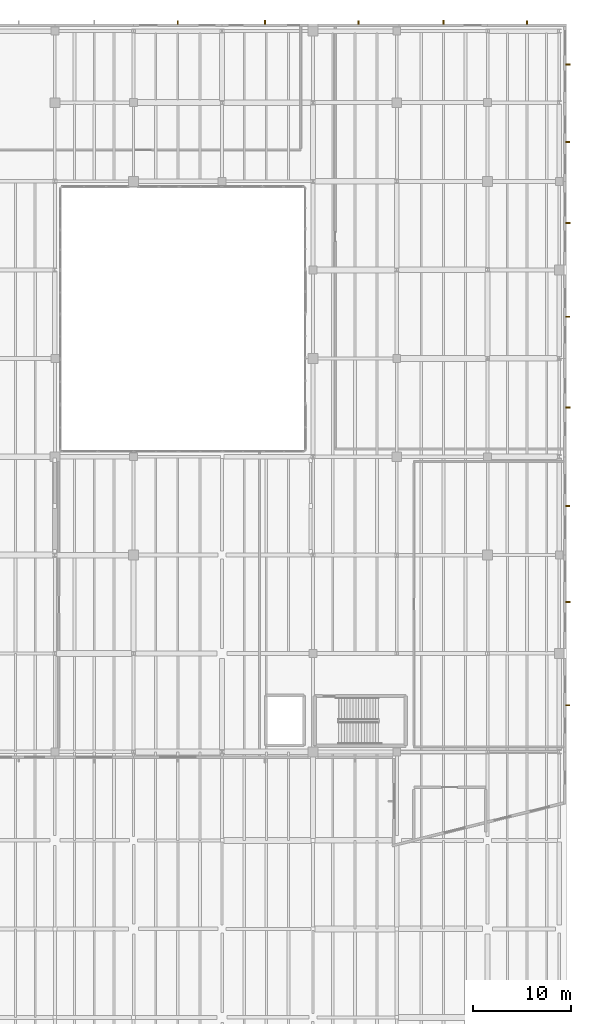
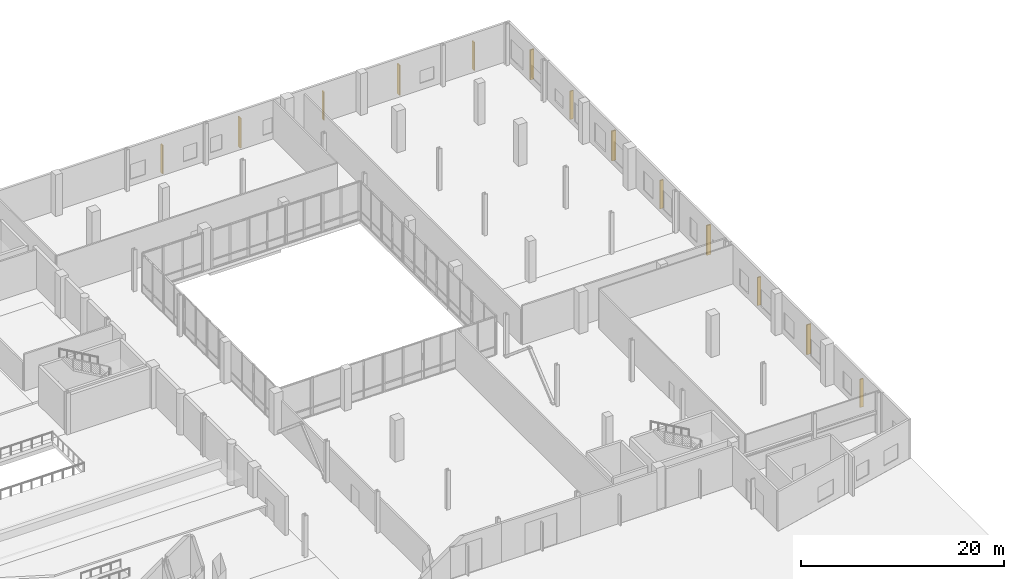
# One storey, part 88 of 88: 13 shading devices.
"""IFC4 building model written with IfcOpenShell, lengths in metres."""

from ifc_helpers import new_model, si_unit, direction, frame, origin, origin_2d, place, context, subcontext, project, spatial, rectangle, extrude, material, type_object, element, save


model = new_model("IFC4")

# Units and contexts
model_context = context("Model", 3, precision=1e-05, world=origin(), true_north=direction((0.0, 1.0)))
body_context = subcontext(model_context, "Body", "Model", "MODEL_VIEW")
ifc_project = project(units=[si_unit("LENGTHUNIT", "METRE"), si_unit("AREAUNIT", "SQUARE_METRE"), si_unit("VOLUMEUNIT", "CUBIC_METRE"), si_unit("PLANEANGLEUNIT", "RADIAN"), si_unit("MASSUNIT", "GRAM", prefix="KILO")], contexts=[model_context])

# Site, building, storey
site_placement = place(None, origin())
site = spatial("IfcSite", under=ifc_project, at=site_placement, CompositionType="ELEMENT")
building_placement = place(site_placement, origin())
building = spatial("IfcBuilding", under=site, at=building_placement, Name="Trimount Lyric Opera House", CompositionType="ELEMENT")
storey_placement = place(building_placement, origin())
storey = spatial("IfcBuildingStorey", under=building, at=storey_placement, Name="L00", CompositionType="ELEMENT", Elevation=0.0)

# Shading devices
ifc_material_1 = material(Name="Extruded Bronze Vertical Acoustic Fin")
shading_device_type_1 = type_object("IfcShadingDeviceType", Name="SHD-FIN1", PredefinedType="USERDEFINED", material=ifc_material_1)
for number, where, z_axis, x_axis, name in (
    (1, (143.3701171875, 118.179931640625, 0.0), (0.0, 0.0, 1.0), (1.0, 0.0, 0.0), "Vertical architectural facade fin 021"),
    (2, (161.5, 118.179931640625, 0.0), (0.0, 0.0, 1.0), (1.0, 0.0, 0.0), "Vertical architectural facade fin 023"),
):
    element("IfcShadingDevice", number, at=place(storey_placement, frame(where, z_axis=z_axis, x_axis=x_axis)), inside=storey, type_object=shading_device_type_1, Name=name, ObjectType="FIN", PredefinedType="USERDEFINED", context=body_context, shape_type="SweptSolid", body=[
        extrude(rectangle(XDim=0.139892578125, YDim=0.449951171875, at=origin_2d()), origin(), (0.0, 0.0, 1.0), 3.60009765625),
    ])
for number, where, z_axis, x_axis, name in (
    (3, (174.179931640625, 113.864990234375, 0.0), (0.0, 0.0, 1.0), (1.0, 0.0, 0.0), "Vertical architectural facade fin 025"),
    (4, (174.179931640625, 97.75, 0.0), (0.0, 0.0, 1.0), (1.0, 0.0, 0.0), "Vertical architectural facade fin 027"),
    (5, (174.179931640625, 79.0, 0.0), (0.0, 0.0, 1.0), (1.0, 0.0, 0.0), "Vertical architectural facade fin 029"),
    (6, (174.179931640625, 59.25, 0.0), (0.0, 0.0, 1.0), (1.0, 0.0, 0.0), "Vertical architectural facade fin 031"),
):
    element("IfcShadingDevice", number, at=place(storey_placement, frame(where, z_axis=z_axis, x_axis=x_axis)), inside=storey, type_object=shading_device_type_1, Name=name, ObjectType="FIN", PredefinedType="USERDEFINED", context=body_context, shape_type="SweptSolid", body=[
        extrude(rectangle(XDim=0.449951171875, YDim=0.139892578125, at=origin_2d()), origin(), (0.0, 0.0, 1.0), 3.60009765625),
    ])
ifc_material_2 = material(Name="Extruded White Aluminium Sun Fin", Category="aluminium")
shading_device_type_2 = type_object("IfcShadingDeviceType", Name="SHD-FIN2", PredefinedType="USERDEFINED", material=ifc_material_2)
for number, where, z_axis, x_axis, name in (
    (7, (134.5, 118.14501953125, 0.0), (0.0, 0.0, 1.0), (1.0, 0.0, 0.0), "Vertical architectural facade fin 020"),
    (8, (152.8701171875, 118.14501953125, 0.0), (0.0, 0.0, 1.0), (1.0, 0.0, 0.0), "Vertical architectural facade fin 022"),
    (9, (170.0, 118.14501953125, 0.0), (0.0, 0.0, 1.0), (1.0, 0.0, 0.0), "Vertical architectural facade fin 024"),
):
    element("IfcShadingDevice", number, at=place(storey_placement, frame(where, z_axis=z_axis, x_axis=x_axis)), inside=storey, type_object=shading_device_type_2, Name=name, ObjectType="FIN", PredefinedType="USERDEFINED", context=body_context, shape_type="SweptSolid", body=[
        extrude(rectangle(XDim=0.1201171875, YDim=0.3798828125, at=origin_2d()), origin(), (0.0, 0.0, 1.0), 3.39990234375),
    ])
for number, where, z_axis, x_axis, name in (
    (10, (174.14501953125, 106.0, 0.0), (0.0, 0.0, 1.0), (1.0, 0.0, 0.0), "Vertical architectural facade fin 026"),
    (11, (174.14501953125, 88.25, 0.0), (0.0, 0.0, 1.0), (1.0, 0.0, 0.0), "Vertical architectural facade fin 028"),
    (12, (174.14501953125, 69.0, 0.0), (0.0, 0.0, 1.0), (1.0, 0.0, 0.0), "Vertical architectural facade fin 030"),
    (13, (174.14501953125, 48.75, 0.0), (0.0, 0.0, 1.0), (1.0, 0.0, 0.0), "Vertical architectural facade fin 032"),
):
    element("IfcShadingDevice", number, at=place(storey_placement, frame(where, z_axis=z_axis, x_axis=x_axis)), inside=storey, type_object=shading_device_type_2, Name=name, ObjectType="FIN", PredefinedType="USERDEFINED", context=body_context, shape_type="SweptSolid", body=[
        extrude(rectangle(XDim=0.3798828125, YDim=0.1201171875, at=origin_2d()), origin(), (0.0, 0.0, 1.0), 3.39990234375),
    ])

save(model, "model.ifc")
